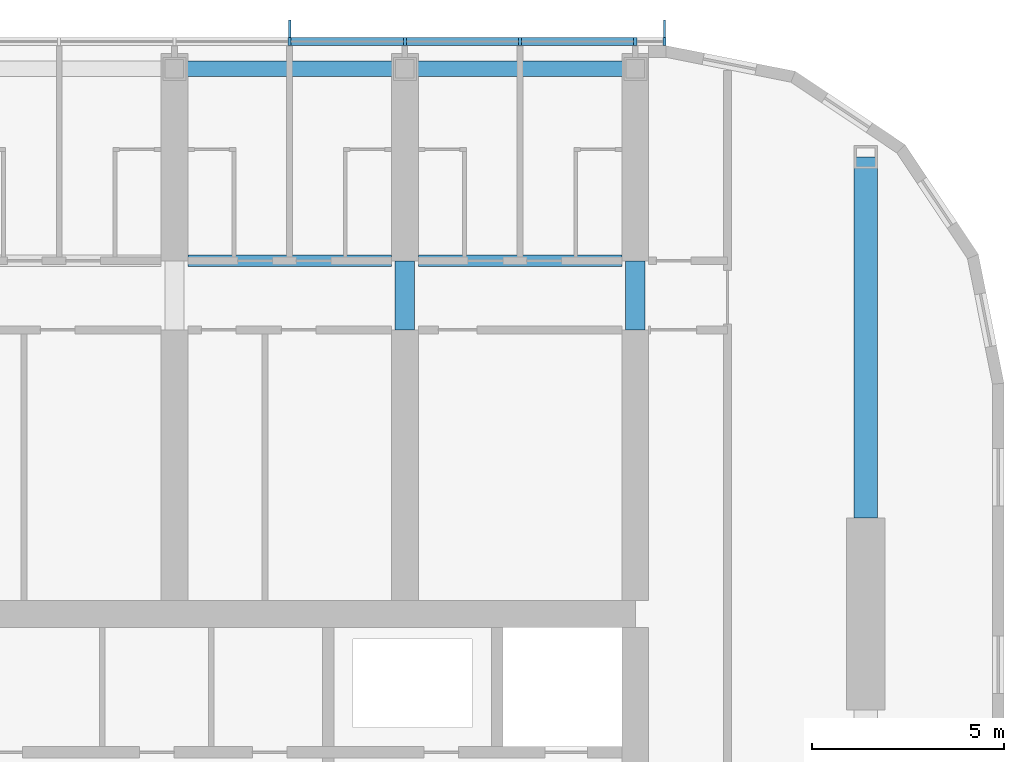
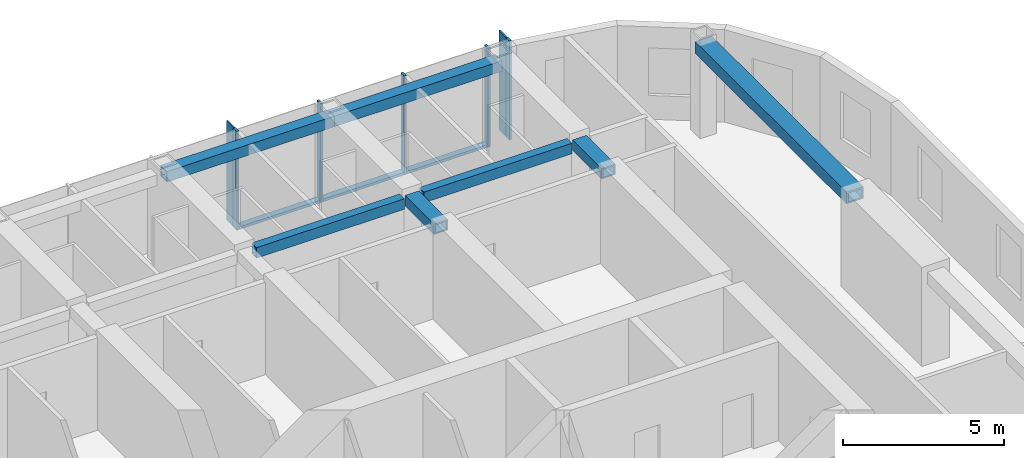
# One storey, part 5 of 24: 10 members, 7 beams, 1 element without a shape of its own.
"""IFC4 building model written with IfcOpenShell, lengths in metres."""

from ifc_helpers import new_model, si_unit, direction, frame, origin, origin_2d, place, context, subcontext, project, spatial, rectangle, hollow_rectangle, extrude, material, material_profile, profile_set, type_object, element, aggregate, save


model = new_model("IFC4")

# Units and contexts
model_context = context("Model", 3, precision=1e-05, world=origin(), true_north=direction((0.0, 1.0)))
body_context = subcontext(model_context, "Body", "Model", "MODEL_VIEW")
ifc_project = project(units=[si_unit("LENGTHUNIT", "METRE"), si_unit("AREAUNIT", "SQUARE_METRE"), si_unit("VOLUMEUNIT", "CUBIC_METRE"), si_unit("PLANEANGLEUNIT", "RADIAN"), si_unit("MASSUNIT", "GRAM", prefix="KILO")], contexts=[model_context])

# Site, building, storey
site_placement = place(None, origin())
site = spatial("IfcSite", under=ifc_project, at=site_placement, CompositionType="ELEMENT")
building_placement = place(site_placement, origin())
building = spatial("IfcBuilding", under=site, at=building_placement, Name="Orbita Commons", CompositionType="ELEMENT")
storey_placement = place(building_placement, frame((0.0, 0.0, 235.300048828125)))
storey = spatial("IfcBuildingStorey", under=building, at=storey_placement, Name="L58", CompositionType="ELEMENT", Elevation=235.300048828125)

# Curtain wall, members
ifc_material_1 = material(Name="Anodised aluminium frame, pale silver", Category="aluminium")
curtain_wall_type = type_object("IfcCurtainWallType", Name="Unitised curtain wall CW-U, full-height vision", PredefinedType="NOTDEFINED", material=ifc_material_1)
curtain_wall_placement = place(storey_placement, origin())
curtain_wall = element("IfcCurtainWall", 1, at=curtain_wall_placement, inside=storey, type_object=curtain_wall_type, Name="Curtain wall north L58", PredefinedType="NOTDEFINED")
ifc_material_2 = material(Name="Anodised aluminium, pale silver", Category="aluminium")
ifc_material_profile_1 = material_profile(ifc_material_2, rectangle(XDim=0.080078125, YDim=0.219970703125, at=origin_2d()), Name="AL 80x220")
ifc_profile_set_1 = profile_set([ifc_material_profile_1], Name="Anodised aluminium, pale silver")
member_type_1 = type_object("IfcMemberType", Name="Curtain wall mullion 80x220", PredefinedType="MULLION", material=ifc_profile_set_1)
member_1_placement = place(storey_placement, frame((66.760009765625, 53.110107421875, -0.25), z_axis=(0.0, 0.0, 1.0), x_axis=(-1.0, 0.0, 0.0)))
member_1 = element("IfcMember", 2, at=member_1_placement, type_object=member_type_1, Name="Mullion 1 CW-L58-N", PredefinedType="MULLION", context=body_context, shape_type="SweptSolid", body=[
    extrude(rectangle(XDim=0.080078125, YDim=0.219970703125, at=origin_2d()), origin(), (0.0, 0.0, 1.0), 3.75),
])
member_2_placement = place(storey_placement, frame((66.0, 53.110107421875, -0.25), z_axis=(0.0, 0.0, 1.0), x_axis=(-1.0, 0.0, 0.0)))
member_2 = element("IfcMember", 3, at=member_2_placement, type_object=member_type_1, Name="Mullion 2 CW-L58-N", PredefinedType="MULLION", context=body_context, shape_type="SweptSolid", body=[
    extrude(rectangle(XDim=0.080078125, YDim=0.219970703125, at=origin_2d()), origin(), (0.0, 0.0, 1.0), 3.75),
])
member_3_placement = place(storey_placement, frame((63.0, 53.110107421875, -0.25), z_axis=(0.0, 0.0, 1.0), x_axis=(-1.0, 0.0, 0.0)))
member_3 = element("IfcMember", 4, at=member_3_placement, type_object=member_type_1, Name="Mullion 3 CW-L58-N", PredefinedType="MULLION", context=body_context, shape_type="SweptSolid", body=[
    extrude(rectangle(XDim=0.080078125, YDim=0.219970703125, at=origin_2d()), origin(), (0.0, 0.0, 1.0), 3.75),
])
member_4_placement = place(storey_placement, frame((60.0, 53.110107421875, -0.25), z_axis=(0.0, 0.0, 1.0), x_axis=(-1.0, 0.0, 0.0)))
member_4 = element("IfcMember", 5, at=member_4_placement, type_object=member_type_1, Name="Mullion 4 CW-L58-N", PredefinedType="MULLION", context=body_context, shape_type="SweptSolid", body=[
    extrude(rectangle(XDim=0.080078125, YDim=0.219970703125, at=origin_2d()), origin(), (0.0, 0.0, 1.0), 3.75),
])
member_5_placement = place(storey_placement, frame((57.0, 53.110107421875, -0.25), z_axis=(0.0, 0.0, 1.0), x_axis=(-1.0, 0.0, 0.0)))
member_5 = element("IfcMember", 6, at=member_5_placement, type_object=member_type_1, Name="Mullion 5 CW-L58-N", PredefinedType="MULLION", context=body_context, shape_type="SweptSolid", body=[
    extrude(rectangle(XDim=0.080078125, YDim=0.219970703125, at=origin_2d()), origin(), (0.0, 0.0, 1.0), 3.75),
])
ifc_material_3 = material(Name="Anodised aluminium, pale silver", Category="aluminium")
ifc_material_profile_2 = material_profile(ifc_material_3, rectangle(XDim=0.219970703125, YDim=0.10009765625, at=origin_2d()), Name="AL 220x100")
ifc_profile_set_2 = profile_set([ifc_material_profile_2], Name="Anodised aluminium, pale silver")
member_type_2 = type_object("IfcMemberType", Name="Curtain wall stack transom 220x100", PredefinedType="USERDEFINED", material=ifc_profile_set_2)
member_6_placement = place(storey_placement, frame((65.9599609375, 53.110107421875, -0.199951171875), z_axis=(-1.0, 0.0, 0.0), x_axis=(0.0, -1.0, 0.0)))
member_6 = element("IfcMember", 7, at=member_6_placement, type_object=member_type_2, Name="Transom 2.1 CW-L58-N", ObjectType="TRANSOM", PredefinedType="USERDEFINED", context=body_context, shape_type="SweptSolid", body=[
    extrude(rectangle(XDim=0.219970703125, YDim=0.10009765625, at=origin_2d()), origin(), (0.0, 0.0, 1.0), 2.919921875),
])
member_7_placement = place(storey_placement, frame((62.9599609375, 53.110107421875, -0.199951171875), z_axis=(-1.0, 0.0, 0.0), x_axis=(0.0, -1.0, 0.0)))
member_7 = element("IfcMember", 8, at=member_7_placement, type_object=member_type_2, Name="Transom 3.1 CW-L58-N", ObjectType="TRANSOM", PredefinedType="USERDEFINED", context=body_context, shape_type="SweptSolid", body=[
    extrude(rectangle(XDim=0.219970703125, YDim=0.10009765625, at=origin_2d()), origin(), (0.0, 0.0, 1.0), 2.919921875),
])
member_8_placement = place(storey_placement, frame((59.9599609375, 53.110107421875, -0.199951171875), z_axis=(-1.0, 0.0, 0.0), x_axis=(0.0, -1.0, 0.0)))
member_8 = element("IfcMember", 9, at=member_8_placement, type_object=member_type_2, Name="Transom 4.1 CW-L58-N", ObjectType="TRANSOM", PredefinedType="USERDEFINED", context=body_context, shape_type="SweptSolid", body=[
    extrude(rectangle(XDim=0.219970703125, YDim=0.10009765625, at=origin_2d()), origin(), (0.0, 0.0, 1.0), 2.919921875),
])

# Beams
ifc_material_4 = material(Name="Steel ASTM A572 Gr 50 welded plate", Category="steel")
ifc_material_profile_3 = material_profile(ifc_material_4, hollow_rectangle(XDim=0.300048828125, YDim=0.39990234375, WallThickness=0.0400390625, at=origin_2d()), Name="BOX 400x300x40")
ifc_profile_set_3 = profile_set([ifc_material_profile_3], Name="Steel ASTM A572 Gr 50 welded plate")
beam_type_1 = type_object("IfcBeamType", Name="Steel corridor link BOX 400x300x40", PredefinedType="BEAM", material=ifc_profile_set_3)
for number, where, z_axis, x_axis, name in (
    (10, (54.35009765625, 47.39990234375, 3.300048828125), (1.0, 0.0, 0.0), (0.0, 1.0, 0.0), "Corridor beam NB 10-11 L58"),
    (11, (60.35009765625, 47.39990234375, 3.300048828125), (1.0, 0.0, 0.0), (0.0, 1.0, 0.0), "Corridor beam NB 11-12 L58"),
):
    element("IfcBeam", number, at=place(storey_placement, frame(where, z_axis=z_axis, x_axis=x_axis)), inside=storey, type_object=beam_type_1, Name=name, PredefinedType="BEAM", context=body_context, shape_type="SweptSolid", body=[
        extrude(hollow_rectangle(XDim=0.300048828125, YDim=0.39990234375, WallThickness=0.0400390625, at=origin_2d()), origin(), (0.0, 0.0, 1.0), 5.2998046875),
    ])
ifc_material_5 = material(Name="Steel ASTM A572 Gr 50 welded plate", Category="steel")
ifc_material_profile_4 = material_profile(ifc_material_5, hollow_rectangle(XDim=0.5, YDim=0.39990234375, WallThickness=0.050048828125, at=origin_2d()), Name="BOX 400x500x50")
ifc_profile_set_4 = profile_set([ifc_material_profile_4], Name="Steel ASTM A572 Gr 50 welded plate")
beam_type_2 = type_object("IfcBeamType", Name="Steel coupling link BOX 400x500x50", PredefinedType="LINTEL", material=ifc_profile_set_4)
for number, where, z_axis, x_axis, name in (
    (12, (60.0, 45.60009765625, 3.300048828125), (0.0, 1.0, 0.0), (-1.0, 0.0, 0.0), "Coupling beam 11 north L58"),
    (13, (66.0, 45.60009765625, 3.300048828125), (0.0, 1.0, 0.0), (-1.0, 0.0, 0.0), "Coupling beam 12 north L58"),
):
    element("IfcBeam", number, at=place(storey_placement, frame(where, z_axis=z_axis, x_axis=x_axis)), inside=storey, type_object=beam_type_2, Name=name, PredefinedType="LINTEL", context=body_context, shape_type="SweptSolid", body=[
        extrude(hollow_rectangle(XDim=0.5, YDim=0.39990234375, WallThickness=0.050048828125, at=origin_2d()), origin(), (0.0, 0.0, 1.0), 1.7998046875),
    ])
ifc_material_6 = material(Name="Steel ASTM A572 Gr 50 welded plate", Category="steel")
ifc_material_profile_5 = material_profile(ifc_material_6, hollow_rectangle(XDim=0.60009765625, YDim=0.449951171875, WallThickness=0.06005859375, at=origin_2d()), Name="BOX 450x600x60")
ifc_profile_set_5 = profile_set([ifc_material_profile_5], Name="Steel ASTM A572 Gr 50 welded plate")
beam_type_3 = type_object("IfcBeamType", Name="Steel end frame link BOX 450x600x60", PredefinedType="BEAM", material=ifc_profile_set_5)
beam_placement = place(storey_placement, frame((72.0, 40.699951171875, 3.27490234375), z_axis=(0.0, 1.0, 0.0), x_axis=(-1.0, 0.0, 0.0)))
element("IfcBeam", 14, at=beam_placement, inside=storey, type_object=beam_type_3, Name="End frame beam 13 D-E L58", PredefinedType="BEAM", context=body_context, shape_type="SweptSolid", body=[
    extrude(hollow_rectangle(XDim=0.60009765625, YDim=0.449951171875, WallThickness=0.06005859375, at=origin_2d()), origin(), (0.0, 0.0, 1.0), 9.400146484375),
])
ifc_material_7 = material(Name="Steel ASTM A572 Gr 50 welded plate", Category="steel")
ifc_material_profile_6 = material_profile(ifc_material_7, hollow_rectangle(XDim=0.39990234375, YDim=0.39990234375, WallThickness=0.0400390625, at=origin_2d()), Name="BOX 400x400x40")
ifc_profile_set_6 = profile_set([ifc_material_profile_6], Name="Steel ASTM A572 Gr 50 welded plate")
beam_type_4 = type_object("IfcBeamType", Name="Steel spandrel BOX 400x400x40", PredefinedType="SPANDREL", material=ifc_profile_set_6)
for number, where, z_axis, x_axis, name in (
    (15, (54.0, 52.39990234375, 3.300048828125), (1.0, 0.0, 0.0), (0.0, 1.0, 0.0), "Spandrel beam E 10-11 L58"),
    (16, (60.0, 52.39990234375, 3.300048828125), (1.0, 0.0, 0.0), (0.0, 1.0, 0.0), "Spandrel beam E 11-12 L58"),
):
    element("IfcBeam", number, at=place(storey_placement, frame(where, z_axis=z_axis, x_axis=x_axis)), inside=storey, type_object=beam_type_4, Name=name, PredefinedType="SPANDREL", context=body_context, shape_type="SweptSolid", body=[
        extrude(hollow_rectangle(XDim=0.39990234375, YDim=0.39990234375, WallThickness=0.0400390625, at=origin_2d()), origin(), (0.0, 0.0, 1.0), 6.0),
    ])

# Member
ifc_material_8 = material(Name="Anodised aluminium, pale silver", Category="aluminium")
ifc_material_profile_7 = material_profile(ifc_material_8, rectangle(XDim=0.06005859375, YDim=0.449951171875, at=origin_2d()), Name="FIN 60x450")
ifc_profile_set_7 = profile_set([ifc_material_profile_7], Name="Anodised aluminium, pale silver")
member_type_3 = type_object("IfcMemberType", Name="Vertical fin 60x450 pale aluminium", PredefinedType="USERDEFINED", material=ifc_profile_set_7)
member_9_placement = place(storey_placement, frame((66.760009765625, 53.445068359375, -0.25), z_axis=(0.0, 0.0, 1.0), x_axis=(-1.0, 0.0, 0.0)))
member_9 = element("IfcMember", 17, at=member_9_placement, type_object=member_type_3, Name="Fin 1 CW-L58-N", ObjectType="FIN", PredefinedType="USERDEFINED", context=body_context, shape_type="SweptSolid", body=[
    extrude(rectangle(XDim=0.06005859375, YDim=0.449951171875, at=origin_2d()), origin(), (0.0, 0.0, 1.0), 3.75),
])

member_10_placement = place(storey_placement, frame((57.0, 53.445068359375, -0.25), z_axis=(0.0, 0.0, 1.0), x_axis=(-1.0, 0.0, 0.0)))
member_10 = element("IfcMember", 18, at=member_10_placement, type_object=member_type_3, Name="Fin 5 CW-L58-N", ObjectType="FIN", PredefinedType="USERDEFINED", context=body_context, shape_type="SweptSolid", body=[
    extrude(rectangle(XDim=0.06005859375, YDim=0.449951171875, at=origin_2d()), origin(), (0.0, 0.0, 1.0), 3.75),
])

aggregate(curtain_wall, [member_1, member_9, member_2, member_3, member_4, member_5, member_10, member_6, member_7, member_8])

save(model, "model.ifc")
